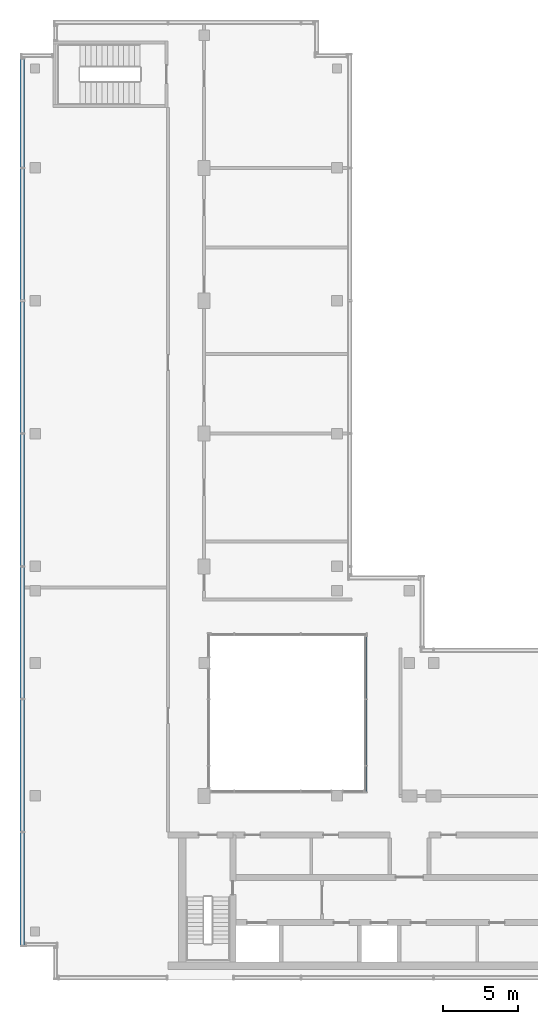
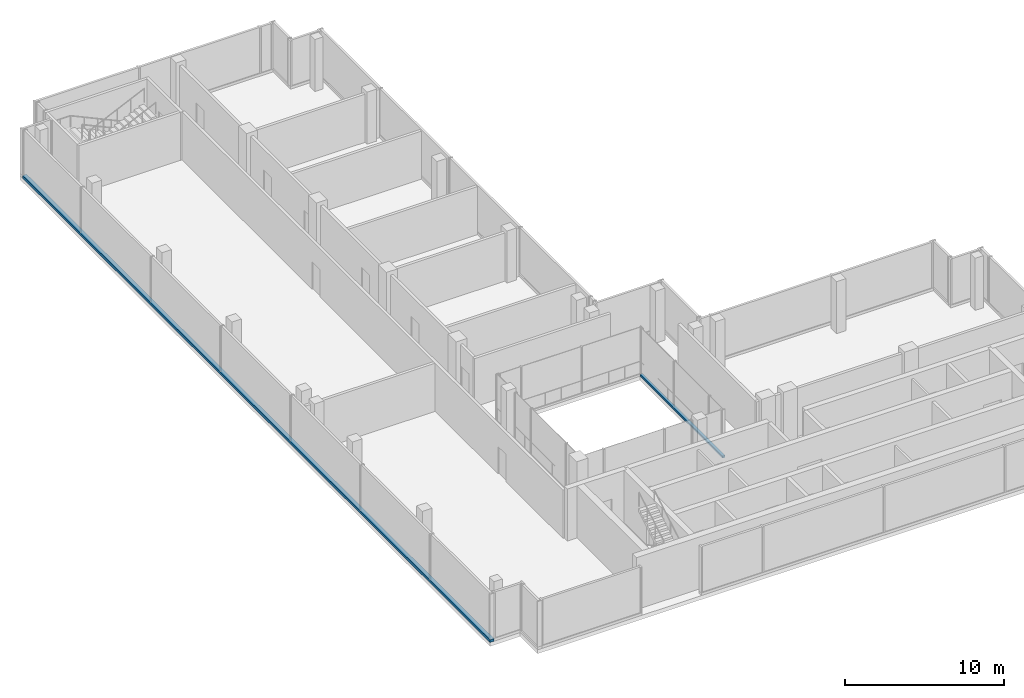
# One storey, part 4 of 10: 2 members, 2 elements without a shape of their own.
"""IFC4 building model written with IfcOpenShell, lengths in metres."""

from ifc_helpers import new_model, si_unit, direction, frame, origin, origin_2d, place, context, subcontext, project, spatial, rectangle, extrude, material, material_profile, profile_set, type_object, element, aggregate, save


model = new_model("IFC4")

# Units and contexts
model_context = context("Model", 3, precision=1e-05, world=origin(), true_north=direction((0.0, 1.0)))
body_context = subcontext(model_context, "Body", "Model", "MODEL_VIEW")
ifc_project = project(units=[si_unit("LENGTHUNIT", "METRE"), si_unit("AREAUNIT", "SQUARE_METRE"), si_unit("VOLUMEUNIT", "CUBIC_METRE"), si_unit("PLANEANGLEUNIT", "RADIAN"), si_unit("MASSUNIT", "GRAM", prefix="KILO")], contexts=[model_context])

# Site, building, storey
site_placement = place(None, origin())
site = spatial("IfcSite", under=ifc_project, at=site_placement, CompositionType="ELEMENT")
building_placement = place(site_placement, origin())
building = spatial("IfcBuilding", under=site, at=building_placement, Name="Kemantara Hotel Tower", CompositionType="ELEMENT")
storey_placement = place(building_placement, frame((0.0, 0.0, 314.199951171875)))
storey = spatial("IfcBuildingStorey", under=building, at=storey_placement, Name="L79", CompositionType="ELEMENT", Elevation=314.199951171875)

# Curtain wall, member
ifc_material_1 = material(Name="Clear low-iron laminated glass 36 mm", Category="glass")
curtain_wall_type_1 = type_object("IfcCurtainWallType", Name="ATRIUM GLAZING WALL", PredefinedType="USERDEFINED", material=ifc_material_1)
curtain_wall_1_placement = place(storey_placement, origin())
curtain_wall_1 = element("IfcCurtainWall", 1, at=curtain_wall_1_placement, inside=storey, type_object=curtain_wall_type_1, Name="CW5 L79 ATR-R1-1", ObjectType="ATRIUM GLAZING WALL", PredefinedType="USERDEFINED")
ifc_material_2 = material(Name="Aluminium 6063-T6 bronze anodised", Category="aluminium")
ifc_material_profile_1 = material_profile(ifc_material_2, rectangle(XDim=0.199951171875, YDim=0.14990234375, at=origin_2d()), Name="ATRIUM GLAZING WALL TRANSOM")
ifc_profile_set_1 = profile_set([ifc_material_profile_1], Name="Aluminium 6063-T6 bronze anodised")
member_type_1 = type_object("IfcMemberType", Name="ATRIUM GLAZING WALL TRANSOM", PredefinedType="USERDEFINED", material=ifc_profile_set_1)
member_1_placement = place(storey_placement, frame((22.89990234375, 22.800048828125, 0.074951171875), z_axis=(0.0, -1.0, 0.0), x_axis=(1.0, 0.0, 0.0)))
member_1 = element("IfcMember", 2, at=member_1_placement, type_object=member_type_1, Name="CW5 sill transom ATR-R1-1", ObjectType="TRANSOM", PredefinedType="USERDEFINED", context=body_context, shape_type="SweptSolid", body=[
    extrude(rectangle(XDim=0.199951171875, YDim=0.14990234375, at=origin_2d()), origin(), (0.0, 0.0, 1.0), 10.400146484375),
])
aggregate(curtain_wall_1, [member_1])

curtain_wall_type_2 = type_object("IfcCurtainWallType", Name="CROWN LOUVRE SCREEN WALL", PredefinedType="USERDEFINED", material=ifc_material_2)
curtain_wall_2_placement = place(storey_placement, origin())
curtain_wall_2 = element("IfcCurtainWall", 3, at=curtain_wall_2_placement, inside=storey, type_object=curtain_wall_type_2, Name="CW7 L79 CRN-R05-1", ObjectType="CROWN LOUVRE SCREEN WALL", PredefinedType="USERDEFINED")
ifc_material_profile_2 = material_profile(ifc_material_2, rectangle(XDim=0.300048828125, YDim=0.199951171875, at=origin_2d()), Name="CROWN LOUVRE SCREEN WALL TRANSOM")
ifc_profile_set_2 = profile_set([ifc_material_profile_2], Name="Aluminium 6063-T6 bronze anodised")
member_type_2 = type_object("IfcMemberType", Name="CROWN LOUVRE SCREEN WALL TRANSOM", PredefinedType="USERDEFINED", material=ifc_profile_set_2)
member_2_placement = place(storey_placement, frame((0.14990234375, 61.10009765625, 0.10009765625), z_axis=(0.0, -1.0, 0.0), x_axis=(1.0, 0.0, 0.0)))
member_2 = element("IfcMember", 4, at=member_2_placement, type_object=member_type_2, Name="CW7 sill transom CRN-R05-1", ObjectType="TRANSOM", PredefinedType="USERDEFINED", context=body_context, shape_type="SweptSolid", body=[
    extrude(rectangle(XDim=0.300048828125, YDim=0.199951171875, at=origin_2d()), origin(), (0.0, 0.0, 1.0), 58.900146484375),
])
aggregate(curtain_wall_2, [member_2])

save(model, "model.ifc")
